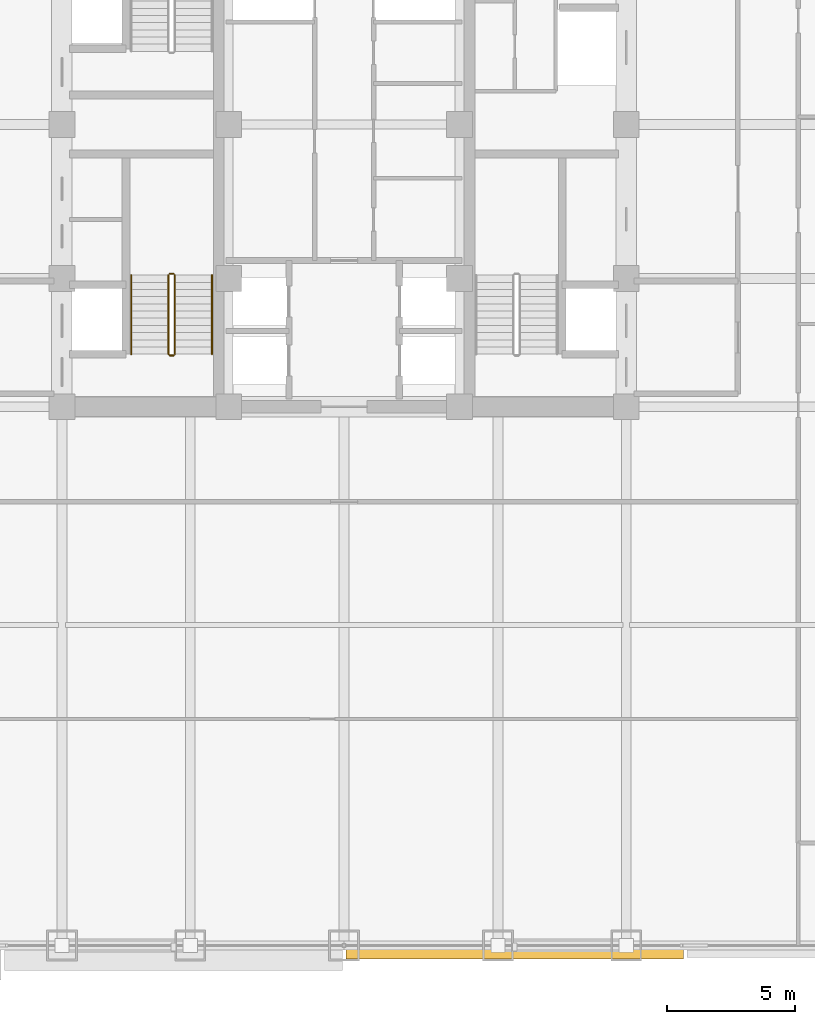
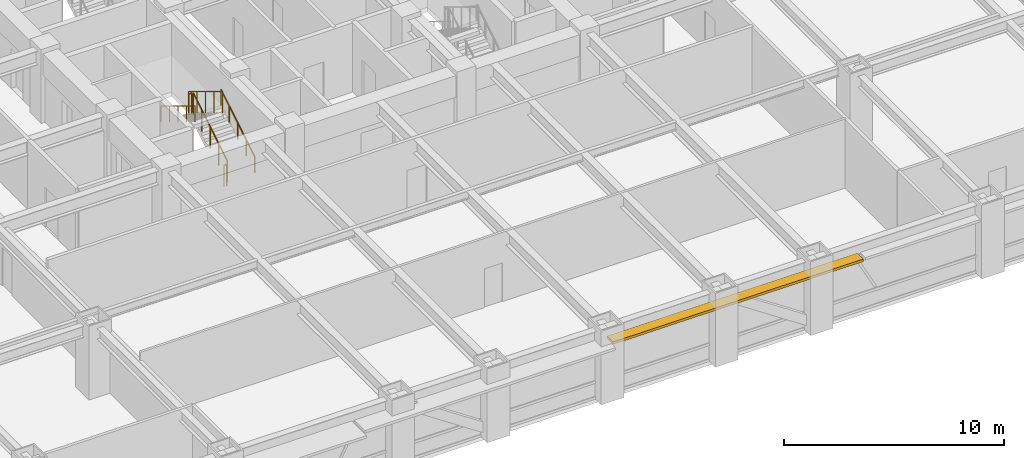
# One storey, part 29 of 32: 6 railings, 1 shading device.
"""IFC4 building model written with IfcOpenShell, lengths in metres."""

from ifc_helpers import new_model, si_unit, direction, frame, origin, origin_2d, place, context, subcontext, project, spatial, rectangle, circle, extrude, source, transform, mapped, material, layer, layer_set, type_object, element, save


model = new_model("IFC4")

# Units and contexts
model_context = context("Model", 3, precision=1e-05, world=origin(), true_north=direction((0.0, 1.0)))
body_context = subcontext(model_context, "Body", "Model", "MODEL_VIEW")
ifc_project = project(units=[si_unit("LENGTHUNIT", "METRE"), si_unit("AREAUNIT", "SQUARE_METRE"), si_unit("VOLUMEUNIT", "CUBIC_METRE"), si_unit("PLANEANGLEUNIT", "RADIAN"), si_unit("MASSUNIT", "GRAM", prefix="KILO")], contexts=[model_context])

# Site, building, storey
site_placement = place(None, origin())
site = spatial("IfcSite", under=ifc_project, at=site_placement, CompositionType="ELEMENT")
building_placement = place(site_placement, origin())
building = spatial("IfcBuilding", under=site, at=building_placement, Name="Khorayat Bourse Tower", CompositionType="ELEMENT")
storey_placement = place(building_placement, frame((0.0, 0.0, 99.60009765625)))
storey = spatial("IfcBuildingStorey", under=building, at=storey_placement, Name="L22", CompositionType="ELEMENT", Elevation=99.60009765625)

# Shading device
ifc_material_1 = material(Name="Precast concrete C45/55", Category="concrete")
ifc_layer = layer(ifc_material_1, 0.139892578125)
ifc_layer_set = layer_set([ifc_layer], Name="Precast concrete C45/55")
shading_device_type = type_object("IfcShadingDeviceType", Name="SHD-WAVE-TRAY-B", PredefinedType="USERDEFINED", material=ifc_layer_set)
shared_shape_1 = source(origin(), body_context, "Body", "SweptSolid", [
    extrude(rectangle(XDim=13.159912109375, YDim=0.54638671875, at=origin_2d()), origin(), (0.0, 0.0, 1.0), 0.139892578125),
])
shading_device_placement = place(storey_placement, frame((6.64990234375, -32.253173828125, 3.08984375), z_axis=(0.0, 0.0, 1.0), x_axis=(1.0, 0.0, 0.0)))
element("IfcShadingDevice", 1, at=shading_device_placement, inside=storey, type_object=shading_device_type, Name="L22 Sinusoidal Wave Sunshade Tray S-3", ObjectType="SUNSHADE", PredefinedType="USERDEFINED", context=body_context, shape_type="MappedRepresentation", body=[
    mapped(shared_shape_1, transform((0.0, 0.0, 0.0), scale=1.0)),
])

# Railings
ifc_material_2 = material(Name="Powder-coated steel balustrade", Category="steel")
railing_type_1 = type_object("IfcRailingType", Name="RLG-GUARD-1200", PredefinedType="GUARDRAIL", material=ifc_material_2)
shared_shape_2 = source(origin(), body_context, "Body", "SweptSolid", [
    extrude(circle(Radius=0.02392578125, at=origin_2d()), frame((0.0, 0.0, 1.17578125), z_axis=(-1.0, 0.0, 0.0), x_axis=(0.0, -1.0, 0.0)), (0.0, 0.0, 1.0), 0.150146484375),
    extrude(circle(Radius=0.02099609375, at=origin_2d()), origin(), (0.0, 0.0, 1.0), 1.15185546875),
    extrude(circle(Radius=0.02099609375, at=origin_2d()), frame((-0.150146484375, 0.0, 0.0)), (0.0, 0.0, 1.0), 1.15185546875),
])
for number, where, name in (
    (2, (-6.64990234375, -5.820068359375, 2.0498046875), "L22 ST-1 stair guard 2"),
    (3, (-6.64990234375, -9.0, 0.0), "L22 ST-1 stair guard 4"),
):
    element("IfcRailing", number, at=place(storey_placement, frame(where)), inside=storey, type_object=railing_type_1, Name=name, PredefinedType="GUARDRAIL", context=body_context, shape_type="MappedRepresentation", body=[
        mapped(shared_shape_2, transform((0.0, 0.0, 0.0), scale=1.0)),
    ])
shared_shape_3 = source(origin(), body_context, "Body", "SweptSolid", [
    extrude(circle(Radius=0.02392578125, at=origin_2d()), frame((0.0, 0.0, 1.17578125), z_axis=(0.0, 0.853647949592, 0.520850437417), x_axis=(-1.0, 0.0, 0.0)), (0.0, 0.0, 1.0), 3.60791015625),
    extrude(circle(Radius=0.02099609375, at=origin_2d()), origin(), (0.0, 0.0, 1.0), 1.15185546875),
    extrude(circle(Radius=0.02099609375, at=origin_2d()), frame((0.0, 0.77001953125, 0.4697265625)), (0.0, 0.0, 1.0), 1.15185546875),
    extrude(circle(Radius=0.02099609375, at=origin_2d()), frame((0.0, 1.5400390625, 0.939453125)), (0.0, 0.0, 1.0), 1.15185546875),
    extrude(circle(Radius=0.02099609375, at=origin_2d()), frame((0.0, 2.309814453125, 1.409423828125)), (0.0, 0.0, 1.0), 1.15185546875),
    extrude(circle(Radius=0.02099609375, at=origin_2d()), frame((0.0, 3.079833984375, 1.879150390625)), (0.0, 0.0, 1.0), 1.15185546875),
])
railing_1_placement = place(storey_placement, frame((-6.60009765625, -8.949951171875, 0.170654296875)))
element("IfcRailing", 4, at=railing_1_placement, inside=storey, type_object=railing_type_1, Name="L22 ST-1 stair guard 1", PredefinedType="GUARDRAIL", context=body_context, shape_type="MappedRepresentation", body=[
    mapped(shared_shape_3, transform((0.0, 0.0, 0.0), scale=1.0)),
])
shared_shape_4 = source(origin(), body_context, "Body", "SweptSolid", [
    extrude(circle(Radius=0.02392578125, at=origin_2d()), frame((0.0, 0.0, 1.17578125), z_axis=(0.0, -0.853647949592, 0.520850437417), x_axis=(1.0, 0.0, 0.0)), (0.0, 0.0, 1.0), 3.60791015625),
    extrude(circle(Radius=0.02099609375, at=origin_2d()), origin(), (0.0, 0.0, 1.0), 1.15185546875),
    extrude(circle(Radius=0.02099609375, at=origin_2d()), frame((0.0, -0.77001953125, 0.4697265625)), (0.0, 0.0, 1.0), 1.15185546875),
    extrude(circle(Radius=0.02099609375, at=origin_2d()), frame((0.0, -1.5400390625, 0.939453125)), (0.0, 0.0, 1.0), 1.15185546875),
    extrude(circle(Radius=0.02099609375, at=origin_2d()), frame((0.0, -2.309814453125, 1.409423828125)), (0.0, 0.0, 1.0), 1.15185546875),
    extrude(circle(Radius=0.02099609375, at=origin_2d()), frame((0.0, -3.079833984375, 1.879150390625)), (0.0, 0.0, 1.0), 1.15185546875),
])
railing_2_placement = place(storey_placement, frame((-6.85009765625, -5.8701171875, 2.220703125)))
element("IfcRailing", 5, at=railing_2_placement, inside=storey, type_object=railing_type_1, Name="L22 ST-1 stair guard 3", PredefinedType="GUARDRAIL", context=body_context, shape_type="MappedRepresentation", body=[
    mapped(shared_shape_4, transform((0.0, 0.0, 0.0), scale=1.0)),
])
ifc_material_3 = material(Name="Brushed bronze stainless-steel handrail", Category="steel")
railing_type_2 = type_object("IfcRailingType", Name="RLG-HAND-900", PredefinedType="HANDRAIL", material=ifc_material_3)
shared_shape_5 = source(origin(), body_context, "Body", "SweptSolid", [
    extrude(circle(Radius=0.02392578125, at=origin_2d()), frame((0.0, 0.0, 0.8759765625), z_axis=(0.0, 0.853647949592, 0.520850437417), x_axis=(-1.0, 0.0, 0.0)), (0.0, 0.0, 1.0), 3.60791015625),
    extrude(circle(Radius=0.02099609375, at=origin_2d()), origin(), (0.0, 0.0, 1.0), 0.851806640625),
    extrude(circle(Radius=0.02099609375, at=origin_2d()), frame((0.0, 0.77001953125, 0.4697265625)), (0.0, 0.0, 1.0), 0.851806640625),
    extrude(circle(Radius=0.02099609375, at=origin_2d()), frame((0.0, 1.5400390625, 0.939453125)), (0.0, 0.0, 1.0), 0.851806640625),
    extrude(circle(Radius=0.02099609375, at=origin_2d()), frame((0.0, 2.309814453125, 1.409423828125)), (0.0, 0.0, 1.0), 0.851806640625),
    extrude(circle(Radius=0.02099609375, at=origin_2d()), frame((0.0, 3.079833984375, 1.879150390625)), (0.0, 0.0, 1.0), 0.851806640625),
])
railing_3_placement = place(storey_placement, frame((-5.14990234375, -8.949951171875, 0.170654296875)))
element("IfcRailing", 6, at=railing_3_placement, inside=storey, type_object=railing_type_2, Name="L22 ST-1 stair handrail 1", PredefinedType="HANDRAIL", context=body_context, shape_type="MappedRepresentation", body=[
    mapped(shared_shape_5, transform((0.0, 0.0, 0.0), scale=1.0)),
])
shared_shape_6 = source(origin(), body_context, "Body", "SweptSolid", [
    extrude(circle(Radius=0.02392578125, at=origin_2d()), frame((0.0, 0.0, 0.8759765625), z_axis=(0.0, -0.853647949592, 0.520850437417), x_axis=(1.0, 0.0, 0.0)), (0.0, 0.0, 1.0), 3.60791015625),
    extrude(circle(Radius=0.02099609375, at=origin_2d()), origin(), (0.0, 0.0, 1.0), 0.851806640625),
    extrude(circle(Radius=0.02099609375, at=origin_2d()), frame((0.0, -0.77001953125, 0.4697265625)), (0.0, 0.0, 1.0), 0.851806640625),
    extrude(circle(Radius=0.02099609375, at=origin_2d()), frame((0.0, -1.5400390625, 0.939453125)), (0.0, 0.0, 1.0), 0.851806640625),
    extrude(circle(Radius=0.02099609375, at=origin_2d()), frame((0.0, -2.309814453125, 1.409423828125)), (0.0, 0.0, 1.0), 0.851806640625),
    extrude(circle(Radius=0.02099609375, at=origin_2d()), frame((0.0, -3.079833984375, 1.879150390625)), (0.0, 0.0, 1.0), 0.851806640625),
])
railing_4_placement = place(storey_placement, frame((-8.300048828125, -5.8701171875, 2.220703125)))
element("IfcRailing", 7, at=railing_4_placement, inside=storey, type_object=railing_type_2, Name="L22 ST-1 stair handrail 2", PredefinedType="HANDRAIL", context=body_context, shape_type="MappedRepresentation", body=[
    mapped(shared_shape_6, transform((0.0, 0.0, 0.0), scale=1.0)),
])

save(model, "model.ifc")
